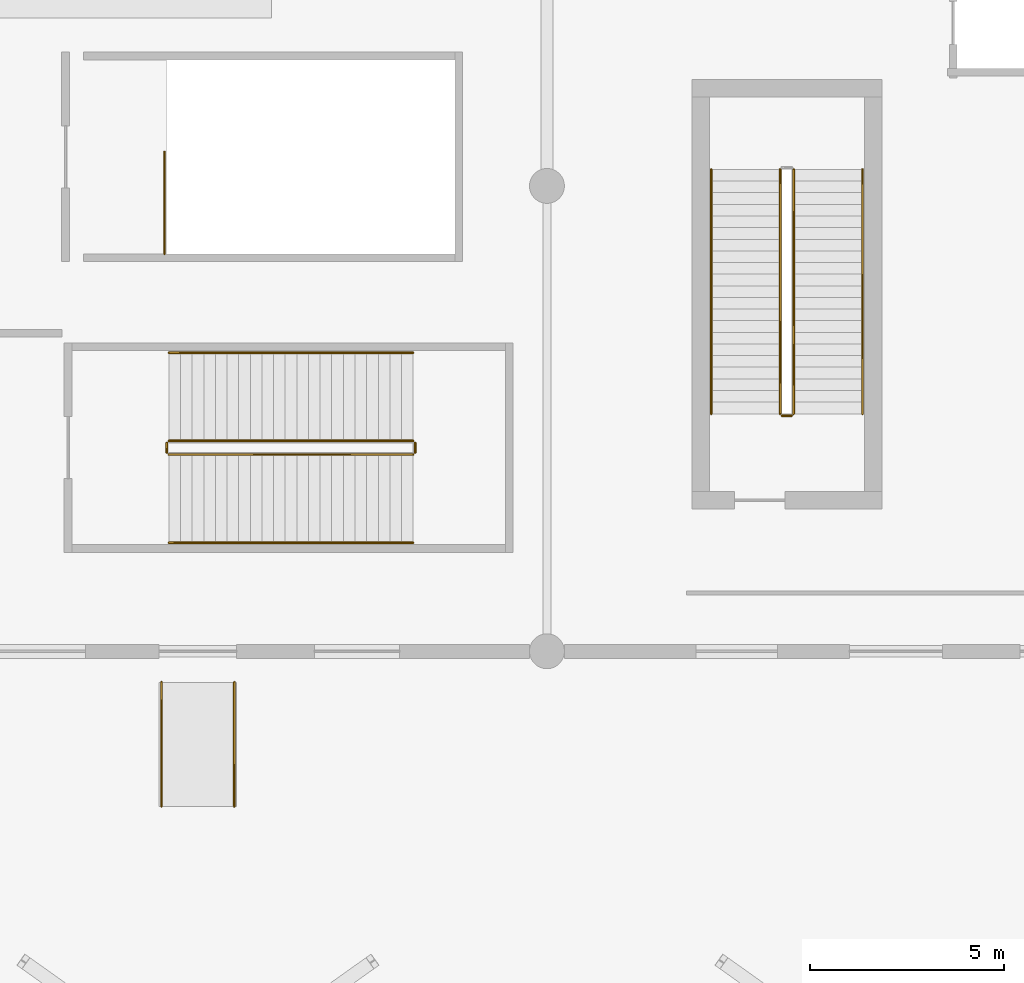
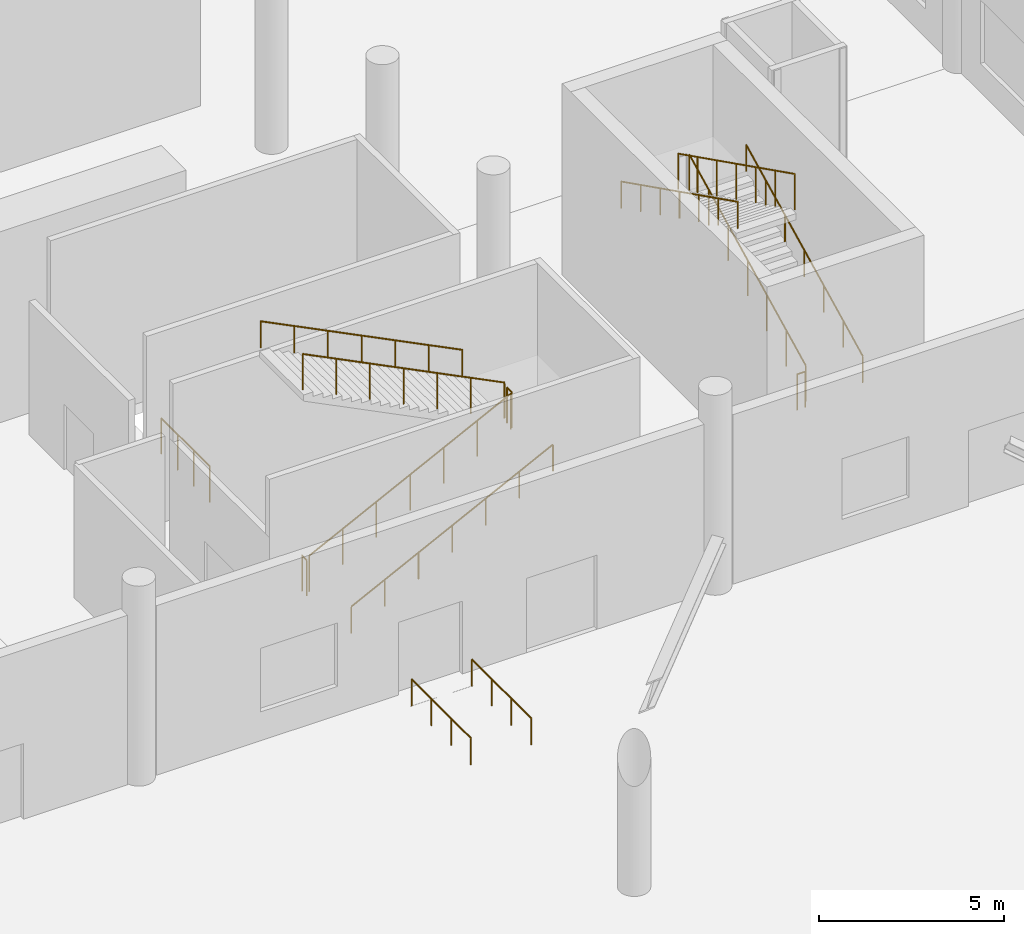
# One storey, part 39 of 65: 14 railings.
"""IFC4 building model written with IfcOpenShell, lengths in metres."""

from ifc_helpers import new_model, si_unit, direction, frame, origin, origin_2d, place, context, subcontext, project, spatial, circle, extrude, material, type_object, element, save


model = new_model("IFC4")

# Units and contexts
model_context = context("Model", 3, precision=1e-05, world=origin(), true_north=direction((0.0, 1.0)))
body_context = subcontext(model_context, "Body", "Model", "MODEL_VIEW")
ifc_project = project(units=[si_unit("LENGTHUNIT", "METRE"), si_unit("AREAUNIT", "SQUARE_METRE"), si_unit("VOLUMEUNIT", "CUBIC_METRE"), si_unit("PLANEANGLEUNIT", "RADIAN"), si_unit("MASSUNIT", "GRAM", prefix="KILO")], contexts=[model_context])

# Site, building, storey
site_placement = place(None, origin())
site = spatial("IfcSite", under=ifc_project, at=site_placement, CompositionType="ELEMENT")
building_placement = place(site_placement, origin())
building = spatial("IfcBuilding", under=site, at=building_placement, Name="Chuanluo Vaults Station", CompositionType="ELEMENT")
storey_placement = place(building_placement, origin())
storey = spatial("IfcBuildingStorey", under=building, at=storey_placement, Name="L00", CompositionType="ELEMENT", Elevation=0.0)

# Railings
ifc_material_1 = material(Name="Tempered laminated balustrade glass", Category="glass")
railing_type_1 = type_object("IfcRailingType", Name="RLG-GUARD-1200", PredefinedType="BALUSTRADE", material=ifc_material_1)
railing_1_placement = place(storey_placement, frame((78.362548828125, 24.125, 0.14990234375)))
element("IfcRailing", 1, at=railing_1_placement, inside=storey, type_object=railing_type_1, Name="L00 ST-06 stair guard 1", PredefinedType="BALUSTRADE", context=body_context, shape_type="SweptSolid", body=[
    extrude(circle(Radius=0.02392578125, at=origin_2d()), frame((0.0, 0.0, 1.17578125), z_axis=(0.0, 0.894420258746, 0.44722745974), x_axis=(-1.0, 0.0, 0.0)), (0.0, 0.0, 1.0), 7.043701171875),
    extrude(circle(Radius=0.02099609375, at=origin_2d()), origin(), (0.0, 0.0, 1.0), 1.15185546875),
    extrude(circle(Radius=0.02099609375, at=origin_2d()), frame((0.0, 1.050048828125, 0.52490234375)), (0.0, 0.0, 1.0), 1.15185546875),
    extrude(circle(Radius=0.02099609375, at=origin_2d()), frame((0.0, 2.10009765625, 1.050048828125)), (0.0, 0.0, 1.0), 1.15185546875),
    extrude(circle(Radius=0.02099609375, at=origin_2d()), frame((0.0, 3.14990234375, 1.5751953125)), (0.0, 0.0, 1.0), 1.15185546875),
    extrude(circle(Radius=0.02099609375, at=origin_2d()), frame((0.0, 4.199951171875, 2.10009765625)), (0.0, 0.0, 1.0), 1.15185546875),
    extrude(circle(Radius=0.02099609375, at=origin_2d()), frame((0.0, 5.25, 2.625)), (0.0, 0.0, 1.0), 1.15185546875),
    extrude(circle(Radius=0.02099609375, at=origin_2d()), frame((0.0, 6.300048828125, 3.150146484375)), (0.0, 0.0, 1.0), 1.15185546875),
])
railing_2_placement = place(storey_placement, frame((78.012451171875, 30.425048828125, 3.449951171875)))
element("IfcRailing", 2, at=railing_2_placement, inside=storey, type_object=railing_type_1, Name="L00 ST-06 stair guard 3", PredefinedType="BALUSTRADE", context=body_context, shape_type="SweptSolid", body=[
    extrude(circle(Radius=0.02392578125, at=origin_2d()), frame((0.0, 0.0, 1.17578125), z_axis=(0.0, -0.894420258746, 0.44722745974), x_axis=(1.0, 0.0, 0.0)), (0.0, 0.0, 1.0), 7.043701171875),
    extrude(circle(Radius=0.02099609375, at=origin_2d()), origin(), (0.0, 0.0, 1.0), 1.15185546875),
    extrude(circle(Radius=0.02099609375, at=origin_2d()), frame((0.0, -1.050048828125, 0.52490234375)), (0.0, 0.0, 1.0), 1.15185546875),
    extrude(circle(Radius=0.02099609375, at=origin_2d()), frame((0.0, -2.10009765625, 1.050048828125)), (0.0, 0.0, 1.0), 1.15185546875),
    extrude(circle(Radius=0.02099609375, at=origin_2d()), frame((0.0, -3.14990234375, 1.5751953125)), (0.0, 0.0, 1.0), 1.15185546875),
    extrude(circle(Radius=0.02099609375, at=origin_2d()), frame((0.0, -4.199951171875, 2.10009765625)), (0.0, 0.0, 1.0), 1.15185546875),
    extrude(circle(Radius=0.02099609375, at=origin_2d()), frame((0.0, -5.25, 2.625)), (0.0, 0.0, 1.0), 1.15185546875),
    extrude(circle(Radius=0.02099609375, at=origin_2d()), frame((0.0, -6.300048828125, 3.150146484375)), (0.0, 0.0, 1.0), 1.15185546875),
])
railing_3_placement = place(storey_placement, frame((78.3125, 24.074951171875, 0.0)))
element("IfcRailing", 3, at=railing_3_placement, inside=storey, type_object=railing_type_1, Name="L00 ST-06 stair guard 4", PredefinedType="BALUSTRADE", context=body_context, shape_type="SweptSolid", body=[
    extrude(circle(Radius=0.02392578125, at=origin_2d()), frame((0.0, 0.0, 1.17578125), z_axis=(-1.0, 0.0, 0.0), x_axis=(0.0, -1.0, 0.0)), (0.0, 0.0, 1.0), 0.25),
    extrude(circle(Radius=0.02099609375, at=origin_2d()), origin(), (0.0, 0.0, 1.0), 1.15185546875),
    extrude(circle(Radius=0.02099609375, at=origin_2d()), frame((-0.25, 0.0, 0.0)), (0.0, 0.0, 1.0), 1.15185546875),
])
railing_4_placement = place(storey_placement, frame((62.25, 23.074951171875, 0.14990234375)))
element("IfcRailing", 4, at=railing_4_placement, inside=storey, type_object=railing_type_1, Name="L00 ST-19 stair guard 1", PredefinedType="BALUSTRADE", context=body_context, shape_type="SweptSolid", body=[
    extrude(circle(Radius=0.02392578125, at=origin_2d()), frame((0.0, 0.0, 1.17578125), z_axis=(0.894420258746, 0.0, 0.44722745974), x_axis=(0.0, 1.0, 0.0)), (0.0, 0.0, 1.0), 7.043701171875),
    extrude(circle(Radius=0.02099609375, at=origin_2d()), origin(), (0.0, 0.0, 1.0), 1.15185546875),
    extrude(circle(Radius=0.02099609375, at=origin_2d()), frame((1.050048828125, 0.0, 0.52490234375)), (0.0, 0.0, 1.0), 1.15185546875),
    extrude(circle(Radius=0.02099609375, at=origin_2d()), frame((2.10009765625, 0.0, 1.050048828125)), (0.0, 0.0, 1.0), 1.15185546875),
    extrude(circle(Radius=0.02099609375, at=origin_2d()), frame((3.14990234375, 0.0, 1.5751953125)), (0.0, 0.0, 1.0), 1.15185546875),
    extrude(circle(Radius=0.02099609375, at=origin_2d()), frame((4.199951171875, 0.0, 2.10009765625)), (0.0, 0.0, 1.0), 1.15185546875),
    extrude(circle(Radius=0.02099609375, at=origin_2d()), frame((5.25, 0.0, 2.625)), (0.0, 0.0, 1.0), 1.15185546875),
    extrude(circle(Radius=0.02099609375, at=origin_2d()), frame((6.300048828125, 0.0, 3.150146484375)), (0.0, 0.0, 1.0), 1.15185546875),
])
railing_5_placement = place(storey_placement, frame((68.60009765625, 23.125, 3.300048828125)))
element("IfcRailing", 5, at=railing_5_placement, inside=storey, type_object=railing_type_1, Name="L00 ST-19 stair guard 2", PredefinedType="BALUSTRADE", context=body_context, shape_type="SweptSolid", body=[
    extrude(circle(Radius=0.02392578125, at=origin_2d()), frame((0.0, 0.0, 1.17578125), z_axis=(0.0, 1.0, 0.0), x_axis=(-1.0, 0.0, 0.0)), (0.0, 0.0, 1.0), 0.25),
    extrude(circle(Radius=0.02099609375, at=origin_2d()), origin(), (0.0, 0.0, 1.0), 1.15185546875),
    extrude(circle(Radius=0.02099609375, at=origin_2d()), frame((0.0, 0.25, 0.0)), (0.0, 0.0, 1.0), 1.15185546875),
])
railing_6_placement = place(storey_placement, frame((68.550048828125, 23.425048828125, 3.449951171875)))
element("IfcRailing", 6, at=railing_6_placement, inside=storey, type_object=railing_type_1, Name="L00 ST-19 stair guard 3", PredefinedType="BALUSTRADE", context=body_context, shape_type="SweptSolid", body=[
    extrude(circle(Radius=0.02392578125, at=origin_2d()), frame((0.0, 0.0, 1.17578125), z_axis=(-0.894420258746, 0.0, 0.44722745974), x_axis=(0.0, -1.0, 0.0)), (0.0, 0.0, 1.0), 7.043701171875),
    extrude(circle(Radius=0.02099609375, at=origin_2d()), origin(), (0.0, 0.0, 1.0), 1.15185546875),
    extrude(circle(Radius=0.02099609375, at=origin_2d()), frame((-1.050048828125, 0.0, 0.52490234375)), (0.0, 0.0, 1.0), 1.15185546875),
    extrude(circle(Radius=0.02099609375, at=origin_2d()), frame((-2.10009765625, 0.0, 1.050048828125)), (0.0, 0.0, 1.0), 1.15185546875),
    extrude(circle(Radius=0.02099609375, at=origin_2d()), frame((-3.14990234375, 0.0, 1.5751953125)), (0.0, 0.0, 1.0), 1.15185546875),
    extrude(circle(Radius=0.02099609375, at=origin_2d()), frame((-4.199951171875, 0.0, 2.10009765625)), (0.0, 0.0, 1.0), 1.15185546875),
    extrude(circle(Radius=0.02099609375, at=origin_2d()), frame((-5.25, 0.0, 2.625)), (0.0, 0.0, 1.0), 1.15185546875),
    extrude(circle(Radius=0.02099609375, at=origin_2d()), frame((-6.300048828125, 0.0, 3.150146484375)), (0.0, 0.0, 1.0), 1.15185546875),
])
railing_7_placement = place(storey_placement, frame((62.199951171875, 23.125, 0.0)))
element("IfcRailing", 7, at=railing_7_placement, inside=storey, type_object=railing_type_1, Name="L00 ST-19 stair guard 4", PredefinedType="BALUSTRADE", context=body_context, shape_type="SweptSolid", body=[
    extrude(circle(Radius=0.02392578125, at=origin_2d()), frame((0.0, 0.0, 1.17578125), z_axis=(0.0, 1.0, 0.0), x_axis=(-1.0, 0.0, 0.0)), (0.0, 0.0, 1.0), 0.25),
    extrude(circle(Radius=0.02099609375, at=origin_2d()), origin(), (0.0, 0.0, 1.0), 1.15185546875),
    extrude(circle(Radius=0.02099609375, at=origin_2d()), frame((0.0, 0.25, 0.0)), (0.0, 0.0, 1.0), 1.15185546875),
])
railing_8_placement = place(storey_placement, frame((62.137451171875, 28.25, 0.0)))
element("IfcRailing", 8, at=railing_8_placement, inside=storey, type_object=railing_type_1, Name="L00 ST-24 top well guard 1", PredefinedType="BALUSTRADE", context=body_context, shape_type="SweptSolid", body=[
    extrude(circle(Radius=0.02392578125, at=origin_2d()), frame((0.0, 0.0, 1.17578125), z_axis=(0.0, 1.0, 0.0), x_axis=(-1.0, 0.0, 0.0)), (0.0, 0.0, 1.0), 2.625),
    extrude(circle(Radius=0.02099609375, at=origin_2d()), origin(), (0.0, 0.0, 1.0), 1.15185546875),
    extrude(circle(Radius=0.02099609375, at=origin_2d()), frame((0.0, 0.875, 0.0)), (0.0, 0.0, 1.0), 1.15185546875),
    extrude(circle(Radius=0.02099609375, at=origin_2d()), frame((0.0, 1.75, 0.0)), (0.0, 0.0, 1.0), 1.15185546875),
    extrude(circle(Radius=0.02099609375, at=origin_2d()), frame((0.0, 2.625, 0.0)), (0.0, 0.0, 1.0), 1.15185546875),
])
ifc_material_2 = material(Name="Brushed stainless steel 304", Category="steel")
railing_type_2 = type_object("IfcRailingType", Name="RLG-HAND-900", PredefinedType="HANDRAIL", material=ifc_material_2)
for number, where, name in (
    (9, (62.06005859375, 14.0, 0.0), "Accessible ramp handrail RM-A2-W"),
    (10, (63.93994140625, 14.0, 0.0), "Accessible ramp handrail RM-A2-E"),
):
    element("IfcRailing", number, at=place(storey_placement, frame(where)), inside=storey, type_object=railing_type_2, Name=name, PredefinedType="HANDRAIL", context=body_context, shape_type="SweptSolid", body=[
        extrude(circle(Radius=0.02392578125, at=origin_2d()), frame((0.0, 0.0, 0.8759765625), z_axis=(0.0, 1.0, 0.0), x_axis=(-1.0, 0.0, 0.0)), (0.0, 0.0, 1.0), 3.199951171875),
        extrude(circle(Radius=0.02099609375, at=origin_2d()), origin(), (0.0, 0.0, 1.0), 0.851806640625),
        extrude(circle(Radius=0.02099609375, at=origin_2d()), frame((0.0, 1.066650390625, 0.0)), (0.0, 0.0, 1.0), 0.851806640625),
        extrude(circle(Radius=0.02099609375, at=origin_2d()), frame((0.0, 2.13330078125, 0.0)), (0.0, 0.0, 1.0), 0.851806640625),
        extrude(circle(Radius=0.02099609375, at=origin_2d()), frame((0.0, 3.199951171875, 0.0)), (0.0, 0.0, 1.0), 0.851806640625),
    ])
railing_9_placement = place(storey_placement, frame((80.137451171875, 24.125, 0.14990234375)))
element("IfcRailing", 11, at=railing_9_placement, inside=storey, type_object=railing_type_2, Name="L00 ST-06 stair handrail 1", PredefinedType="HANDRAIL", context=body_context, shape_type="SweptSolid", body=[
    extrude(circle(Radius=0.02392578125, at=origin_2d()), frame((0.0, 0.0, 0.8759765625), z_axis=(0.0, 0.894420258746, 0.44722745974), x_axis=(-1.0, 0.0, 0.0)), (0.0, 0.0, 1.0), 7.043701171875),
    extrude(circle(Radius=0.02099609375, at=origin_2d()), origin(), (0.0, 0.0, 1.0), 0.851806640625),
    extrude(circle(Radius=0.02099609375, at=origin_2d()), frame((0.0, 1.050048828125, 0.52490234375)), (0.0, 0.0, 1.0), 0.851806640625),
    extrude(circle(Radius=0.02099609375, at=origin_2d()), frame((0.0, 2.10009765625, 1.050048828125)), (0.0, 0.0, 1.0), 0.851806640625),
    extrude(circle(Radius=0.02099609375, at=origin_2d()), frame((0.0, 3.14990234375, 1.5751953125)), (0.0, 0.0, 1.0), 0.851806640625),
    extrude(circle(Radius=0.02099609375, at=origin_2d()), frame((0.0, 4.199951171875, 2.10009765625)), (0.0, 0.0, 1.0), 0.851806640625),
    extrude(circle(Radius=0.02099609375, at=origin_2d()), frame((0.0, 5.25, 2.625)), (0.0, 0.0, 1.0), 0.851806640625),
    extrude(circle(Radius=0.02099609375, at=origin_2d()), frame((0.0, 6.300048828125, 3.150146484375)), (0.0, 0.0, 1.0), 0.851806640625),
])
railing_10_placement = place(storey_placement, frame((76.237548828125, 30.425048828125, 3.449951171875)))
element("IfcRailing", 12, at=railing_10_placement, inside=storey, type_object=railing_type_2, Name="L00 ST-06 stair handrail 2", PredefinedType="HANDRAIL", context=body_context, shape_type="SweptSolid", body=[
    extrude(circle(Radius=0.02392578125, at=origin_2d()), frame((0.0, 0.0, 0.8759765625), z_axis=(0.0, -0.894420258746, 0.44722745974), x_axis=(1.0, 0.0, 0.0)), (0.0, 0.0, 1.0), 7.043701171875),
    extrude(circle(Radius=0.02099609375, at=origin_2d()), origin(), (0.0, 0.0, 1.0), 0.851806640625),
    extrude(circle(Radius=0.02099609375, at=origin_2d()), frame((0.0, -1.050048828125, 0.52490234375)), (0.0, 0.0, 1.0), 0.851806640625),
    extrude(circle(Radius=0.02099609375, at=origin_2d()), frame((0.0, -2.10009765625, 1.050048828125)), (0.0, 0.0, 1.0), 0.851806640625),
    extrude(circle(Radius=0.02099609375, at=origin_2d()), frame((0.0, -3.14990234375, 1.5751953125)), (0.0, 0.0, 1.0), 0.851806640625),
    extrude(circle(Radius=0.02099609375, at=origin_2d()), frame((0.0, -4.199951171875, 2.10009765625)), (0.0, 0.0, 1.0), 0.851806640625),
    extrude(circle(Radius=0.02099609375, at=origin_2d()), frame((0.0, -5.25, 2.625)), (0.0, 0.0, 1.0), 0.851806640625),
    extrude(circle(Radius=0.02099609375, at=origin_2d()), frame((0.0, -6.300048828125, 3.150146484375)), (0.0, 0.0, 1.0), 0.851806640625),
])
railing_11_placement = place(storey_placement, frame((62.25, 20.800048828125, 0.14990234375)))
element("IfcRailing", 13, at=railing_11_placement, inside=storey, type_object=railing_type_2, Name="L00 ST-19 stair handrail 1", PredefinedType="HANDRAIL", context=body_context, shape_type="SweptSolid", body=[
    extrude(circle(Radius=0.02392578125, at=origin_2d()), frame((0.0, 0.0, 0.8759765625), z_axis=(0.894420258746, 0.0, 0.44722745974), x_axis=(0.0, 1.0, 0.0)), (0.0, 0.0, 1.0), 7.043701171875),
    extrude(circle(Radius=0.02099609375, at=origin_2d()), origin(), (0.0, 0.0, 1.0), 0.851806640625),
    extrude(circle(Radius=0.02099609375, at=origin_2d()), frame((1.050048828125, 0.0, 0.52490234375)), (0.0, 0.0, 1.0), 0.851806640625),
    extrude(circle(Radius=0.02099609375, at=origin_2d()), frame((2.10009765625, 0.0, 1.050048828125)), (0.0, 0.0, 1.0), 0.851806640625),
    extrude(circle(Radius=0.02099609375, at=origin_2d()), frame((3.14990234375, 0.0, 1.5751953125)), (0.0, 0.0, 1.0), 0.851806640625),
    extrude(circle(Radius=0.02099609375, at=origin_2d()), frame((4.199951171875, 0.0, 2.10009765625)), (0.0, 0.0, 1.0), 0.851806640625),
    extrude(circle(Radius=0.02099609375, at=origin_2d()), frame((5.25, 0.0, 2.625)), (0.0, 0.0, 1.0), 0.851806640625),
    extrude(circle(Radius=0.02099609375, at=origin_2d()), frame((6.300048828125, 0.0, 3.150146484375)), (0.0, 0.0, 1.0), 0.851806640625),
])
railing_12_placement = place(storey_placement, frame((68.550048828125, 25.699951171875, 3.449951171875)))
element("IfcRailing", 14, at=railing_12_placement, inside=storey, type_object=railing_type_2, Name="L00 ST-19 stair handrail 2", PredefinedType="HANDRAIL", context=body_context, shape_type="SweptSolid", body=[
    extrude(circle(Radius=0.02392578125, at=origin_2d()), frame((0.0, 0.0, 0.8759765625), z_axis=(-0.894420258746, 0.0, 0.44722745974), x_axis=(0.0, -1.0, 0.0)), (0.0, 0.0, 1.0), 7.043701171875),
    extrude(circle(Radius=0.02099609375, at=origin_2d()), origin(), (0.0, 0.0, 1.0), 0.851806640625),
    extrude(circle(Radius=0.02099609375, at=origin_2d()), frame((-1.050048828125, 0.0, 0.52490234375)), (0.0, 0.0, 1.0), 0.851806640625),
    extrude(circle(Radius=0.02099609375, at=origin_2d()), frame((-2.10009765625, 0.0, 1.050048828125)), (0.0, 0.0, 1.0), 0.851806640625),
    extrude(circle(Radius=0.02099609375, at=origin_2d()), frame((-3.14990234375, 0.0, 1.5751953125)), (0.0, 0.0, 1.0), 0.851806640625),
    extrude(circle(Radius=0.02099609375, at=origin_2d()), frame((-4.199951171875, 0.0, 2.10009765625)), (0.0, 0.0, 1.0), 0.851806640625),
    extrude(circle(Radius=0.02099609375, at=origin_2d()), frame((-5.25, 0.0, 2.625)), (0.0, 0.0, 1.0), 0.851806640625),
    extrude(circle(Radius=0.02099609375, at=origin_2d()), frame((-6.300048828125, 0.0, 3.150146484375)), (0.0, 0.0, 1.0), 0.851806640625),
])

save(model, "model.ifc")
